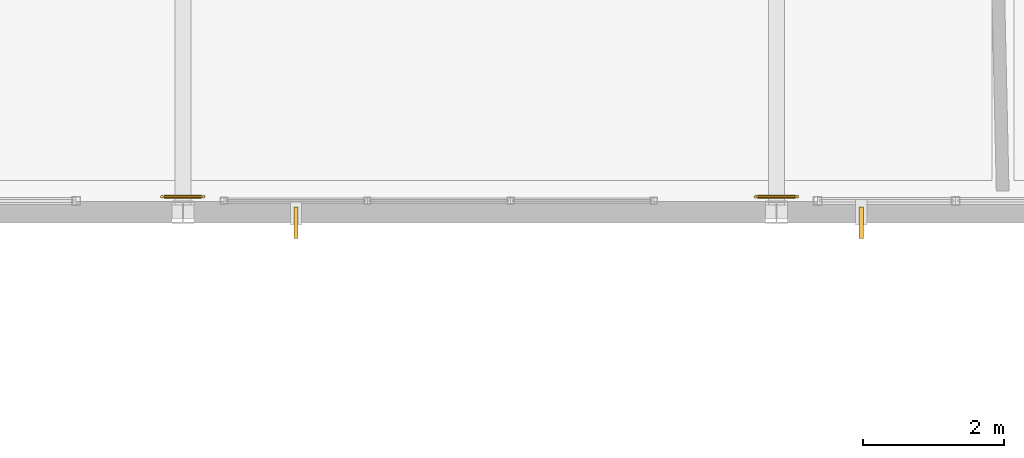
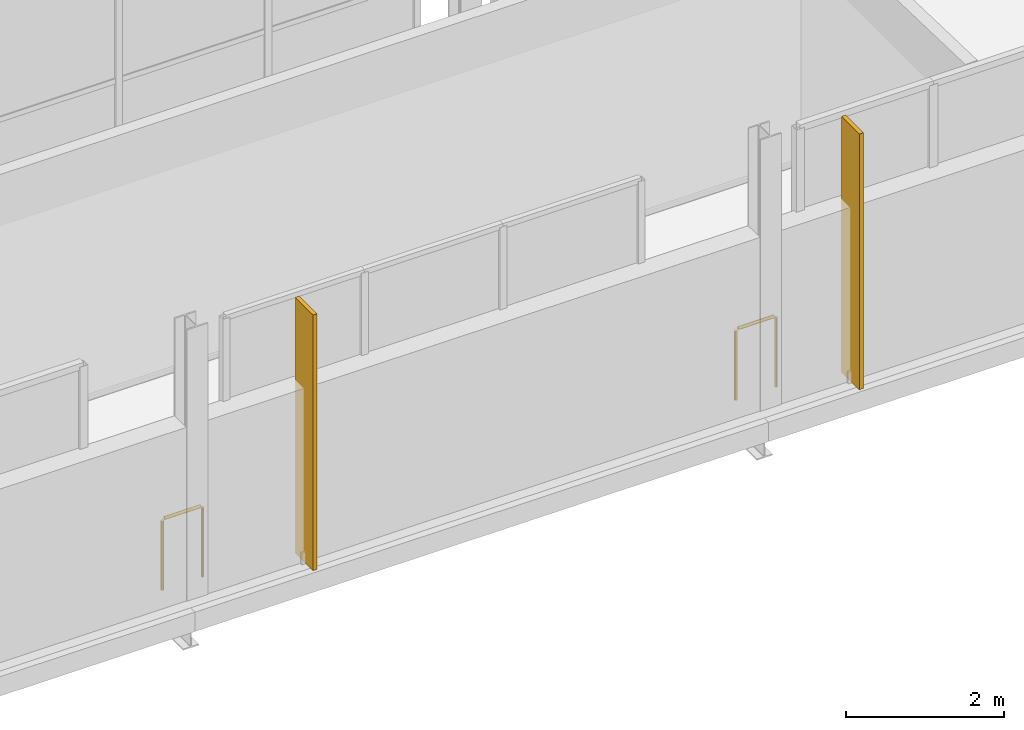
# One storey, part 149 of 151: 2 railings, 2 shading devices.
"""IFC4 building model written with IfcOpenShell, lengths in metres."""

from ifc_helpers import new_model, si_unit, direction, frame, origin, origin_2d, place, context, subcontext, project, spatial, rectangle, circle, extrude, material, type_object, element, save


model = new_model("IFC4")

# Units and contexts
model_context = context("Model", 3, precision=1e-05, world=origin(), true_north=direction((0.0, 1.0)))
body_context = subcontext(model_context, "Body", "Model", "MODEL_VIEW")
ifc_project = project(units=[si_unit("LENGTHUNIT", "METRE"), si_unit("AREAUNIT", "SQUARE_METRE"), si_unit("VOLUMEUNIT", "CUBIC_METRE"), si_unit("PLANEANGLEUNIT", "RADIAN"), si_unit("MASSUNIT", "GRAM", prefix="KILO")], contexts=[model_context])

# Site, building, storey
site_placement = place(None, origin())
site = spatial("IfcSite", under=ifc_project, at=site_placement, CompositionType="ELEMENT")
building_placement = place(site_placement, origin())
building = spatial("IfcBuilding", under=site, at=building_placement, Name="Zuvorla Pavilion Media Centre", CompositionType="ELEMENT")
storey_placement = place(building_placement, frame((0.0, 0.0, 13.800048828125)))
storey = spatial("IfcBuildingStorey", under=building, at=storey_placement, Name="L03", CompositionType="ELEMENT", Elevation=13.800048828125)

# Railings
ifc_material_1 = material(Name="Powder-coated steel balustrade guard", Category="steel")
railing_type = type_object("IfcRailingType", Name="RL-INT-GRD", PredefinedType="BALUSTRADE", material=ifc_material_1)
for number, where, name in (
    (1, (151.094482421875, 44.219970703125, 0.0), "L03 slab edge guard 87"),
    (2, (142.694580078125, 44.219970703125, 0.0), "L03 slab edge guard 88"),
):
    element("IfcRailing", number, at=place(storey_placement, frame(where)), inside=storey, type_object=railing_type, Name=name, PredefinedType="BALUSTRADE", context=body_context, shape_type="SweptSolid", body=[
        extrude(circle(Radius=0.02392578125, at=origin_2d()), frame((-0.02880859375, 0.0, 1.09619140625), z_axis=(-1.0, 0.0, 0.0), x_axis=(0.0, -1.0, 0.0)), (0.0, 0.0, 1.0), 0.531494140625),
        extrude(circle(Radius=0.02099609375, at=origin_2d()), origin(), (0.0, 0.0, 1.0), 1.070068359375),
        extrude(circle(Radius=0.02099609375, at=origin_2d()), frame((-0.589111328125, 0.0, 0.0)), (0.0, 0.0, 1.0), 1.070068359375),
    ])

# Shading devices
ifc_material_2 = material(Name="Anodised aluminium aerofoil brise-soleil fin", Category="aluminium")
shading_device_type = type_object("IfcShadingDeviceType", Name="SHD-FIN-ALU", PredefinedType="USERDEFINED", material=ifc_material_2)
for number, where, z_axis, x_axis, name in (
    (3, (144.0, 43.85009765625, 0.0), (0.0, 0.0, 1.0), (1.0, 0.0, 0.0), "L03 aluminium solar fin 23"),
    (4, (152.0, 43.85009765625, 0.0), (0.0, 0.0, 1.0), (1.0, 0.0, 0.0), "L03 aluminium solar fin 24"),
):
    element("IfcShadingDevice", number, at=place(storey_placement, frame(where, z_axis=z_axis, x_axis=x_axis)), inside=storey, type_object=shading_device_type, Name=name, ObjectType="FIN", PredefinedType="USERDEFINED", context=body_context, shape_type="SweptSolid", body=[
        extrude(rectangle(XDim=0.06005859375, YDim=0.449951171875, at=origin_2d()), origin(), (0.0, 0.0, 1.0), 3.9599609375),
    ])

save(model, "model.ifc")
